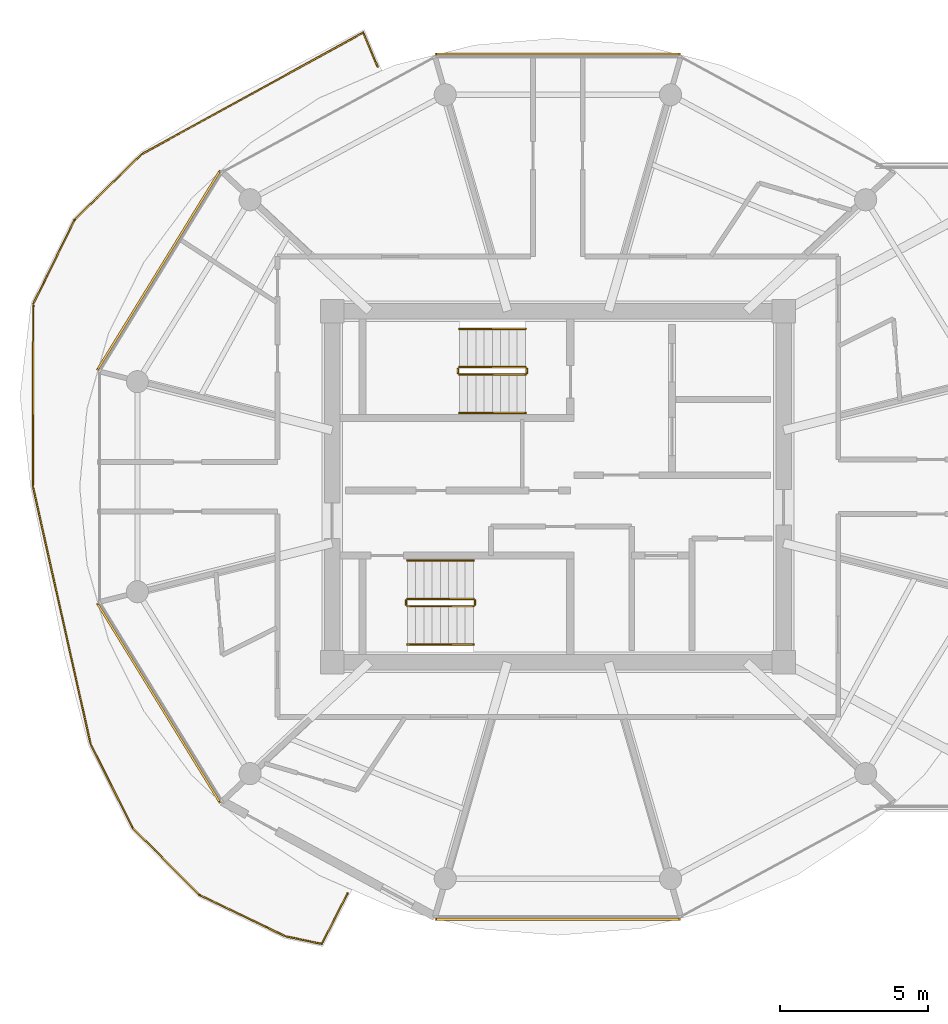
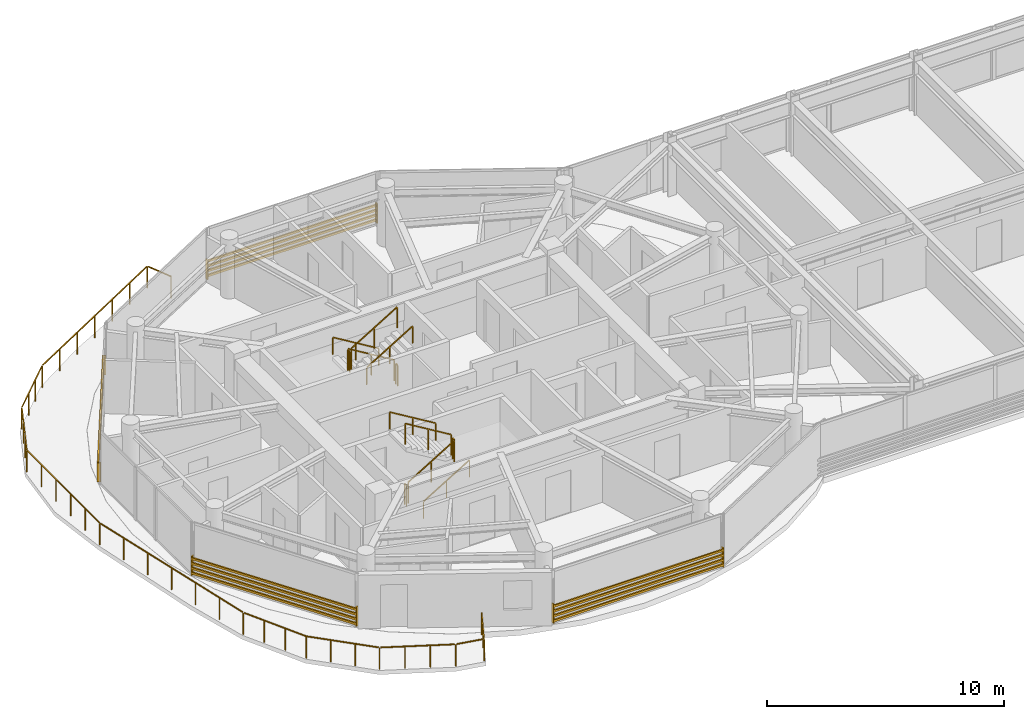
# One storey, part 21 of 24: 14 railings, 4 shading devices.
"""IFC4 building model written with IfcOpenShell, lengths in metres."""

from ifc_helpers import new_model, si_unit, direction, frame, origin, origin_2d, place, context, subcontext, project, spatial, rectangle, extrude, source, transform, mapped, material, type_object, type_shapes, element, save


model = new_model("IFC4")

# Units and contexts
model_context = context("Model", 3, precision=1e-05, world=origin(), true_north=direction((0.0, 1.0)))
body_context = subcontext(model_context, "Body", "Model", "MODEL_VIEW")
ifc_project = project(units=[si_unit("LENGTHUNIT", "METRE"), si_unit("AREAUNIT", "SQUARE_METRE"), si_unit("VOLUMEUNIT", "CUBIC_METRE"), si_unit("PLANEANGLEUNIT", "RADIAN"), si_unit("MASSUNIT", "GRAM", prefix="KILO")], contexts=[model_context])

# Site, building, storey
site_placement = place(None, origin())
site = spatial("IfcSite", under=ifc_project, at=site_placement, CompositionType="ELEMENT")
building_placement = place(site_placement, origin())
building = spatial("IfcBuilding", under=site, at=building_placement, Name="Norrkilde Senior Care Towers", CompositionType="ELEMENT")
storey_placement = place(building_placement, frame((0.0, 0.0, 213.89990234375)))
storey = spatial("IfcBuildingStorey", under=building, at=storey_placement, Name="L66", CompositionType="ELEMENT", Elevation=213.89990234375)

# Railings
ifc_material_1 = material(Name="Anodised Aluminium", Category="aluminium")
railing_type_1 = type_object("IfcRailingType", Name="Balcony Swirl Ribbon Guardrail 1150", PredefinedType="GUARDRAIL", material=ifc_material_1)
railing_1_placement = place(storey_placement, frame((-42.4072265625, -11.56787109375, 0.0)))
element("IfcRailing", 1, at=railing_1_placement, inside=storey, type_object=railing_type_1, Name="L66 Perimeter Safety Guard 03", PredefinedType="GUARDRAIL", context=body_context, shape_type="SweptSolid", body=[
    extrude(rectangle(XDim=0.048095703125, YDim=0.048095703125, at=origin_2d()), frame((0.0, 0.0, 1.1259765625), z_axis=(-0.448687873152, 0.893688532144, 0.0), x_axis=(-0.893688532144, -0.448687873152, 0.0)), (0.0, 0.0, 1.0), 3.137451171875),
    extrude(rectangle(XDim=0.048095703125, YDim=0.048095703125, at=origin_2d()), frame((-1.43505859375, 2.880126953125, 1.1259765625), z_axis=(-0.218500238834, 0.975836894993, 0.0), x_axis=(-0.975836894993, -0.218500238834, 0.0)), (0.0, 0.0, 1.0), 8.875),
    extrude(rectangle(XDim=0.048095703125, YDim=0.048095703125, at=origin_2d()), frame((-3.383056640625, 11.621337890625, 1.1259765625), z_axis=(0.00232952343, 0.999997286657, 0.0), x_axis=(-0.999997286657, 0.00232952343, 0.0)), (0.0, 0.0, 1.0), 6.1015625),
    extrude(rectangle(XDim=0.048095703125, YDim=0.048095703125, at=origin_2d()), frame((-3.3505859375, 17.800537109375, 1.1259765625), z_axis=(0.441809079075, 0.897109100192, 0.0), x_axis=(-0.897109100192, 0.441809079075, 0.0)), (0.0, 0.0, 1.0), 3.085205078125),
    extrude(rectangle(XDim=0.048095703125, YDim=0.048095703125, at=origin_2d()), frame((-1.940185546875, 20.633544921875, 1.1259765625), z_axis=(0.714013448605, 0.700131984137, 0.0), x_axis=(-0.700131984137, 0.714013448605, 0.0)), (0.0, 0.0, 1.0), 3.1015625),
    extrude(rectangle(XDim=0.048095703125, YDim=0.048095703125, at=origin_2d()), frame((0.33935546875, 22.853515625, 1.1259765625), z_axis=(0.876508269321, 0.481386802698, 0.0), x_axis=(-0.481386802698, 0.876508269321, 0.0)), (0.0, 0.0, 1.0), 8.482177734375),
    extrude(rectangle(XDim=0.048095703125, YDim=0.048095703125, at=origin_2d()), frame((7.82568359375, 26.918701171875, 1.1259765625), z_axis=(0.389716079969, -0.920935055807, 0.0), x_axis=(0.920935055807, 0.389716079969, 0.0)), (0.0, 0.0, 1.0), 1.215087890625),
    extrude(rectangle(XDim=0.0419921875, YDim=0.0419921875, at=origin_2d()), origin(), (0.0, 0.0, 1.0), 1.099853515625),
    extrude(rectangle(XDim=0.0419921875, YDim=0.0419921875, at=origin_2d()), frame((-0.475341796875, 0.94677734375, 0.0)), (0.0, 0.0, 1.0), 1.099853515625),
    extrude(rectangle(XDim=0.0419921875, YDim=0.0419921875, at=origin_2d()), frame((-0.95068359375, 1.8935546875, 0.0)), (0.0, 0.0, 1.0), 1.099853515625),
    extrude(rectangle(XDim=0.0419921875, YDim=0.0419921875, at=origin_2d()), frame((-1.426025390625, 2.84033203125, 0.0)), (0.0, 0.0, 1.0), 1.099853515625),
    extrude(rectangle(XDim=0.0419921875, YDim=0.0419921875, at=origin_2d()), frame((-1.752197265625, 4.297119140625, 0.0)), (0.0, 0.0, 1.0), 1.099853515625),
    extrude(rectangle(XDim=0.0419921875, YDim=0.0419921875, at=origin_2d()), frame((-2.078369140625, 5.753662109375, 0.0)), (0.0, 0.0, 1.0), 1.099853515625),
    extrude(rectangle(XDim=0.0419921875, YDim=0.0419921875, at=origin_2d()), frame((-2.404541015625, 7.21044921875, 0.0)), (0.0, 0.0, 1.0), 1.099853515625),
    extrude(rectangle(XDim=0.0419921875, YDim=0.0419921875, at=origin_2d()), frame((-2.730712890625, 8.667236328125, 0.0)), (0.0, 0.0, 1.0), 1.099853515625),
    extrude(rectangle(XDim=0.0419921875, YDim=0.0419921875, at=origin_2d()), frame((-3.056884765625, 10.123779296875, 0.0)), (0.0, 0.0, 1.0), 1.099853515625),
    extrude(rectangle(XDim=0.0419921875, YDim=0.0419921875, at=origin_2d()), frame((-3.383056640625, 11.58056640625, 0.0)), (0.0, 0.0, 1.0), 1.099853515625),
    extrude(rectangle(XDim=0.0419921875, YDim=0.0419921875, at=origin_2d()), frame((-3.380126953125, 12.817138671875, 0.0)), (0.0, 0.0, 1.0), 1.099853515625),
    extrude(rectangle(XDim=0.0419921875, YDim=0.0419921875, at=origin_2d()), frame((-3.377197265625, 14.053955078125, 0.0)), (0.0, 0.0, 1.0), 1.099853515625),
    extrude(rectangle(XDim=0.0419921875, YDim=0.0419921875, at=origin_2d()), frame((-3.37451171875, 15.29052734375, 0.0)), (0.0, 0.0, 1.0), 1.099853515625),
    extrude(rectangle(XDim=0.0419921875, YDim=0.0419921875, at=origin_2d()), frame((-3.37158203125, 16.52734375, 0.0)), (0.0, 0.0, 1.0), 1.099853515625),
    extrude(rectangle(XDim=0.0419921875, YDim=0.0419921875, at=origin_2d()), frame((-3.36865234375, 17.763916015625, 0.0)), (0.0, 0.0, 1.0), 1.099853515625),
    extrude(rectangle(XDim=0.0419921875, YDim=0.0419921875, at=origin_2d()), frame((-2.90234375, 18.7109375, 0.0)), (0.0, 0.0, 1.0), 1.099853515625),
    extrude(rectangle(XDim=0.0419921875, YDim=0.0419921875, at=origin_2d()), frame((-2.435791015625, 19.657958984375, 0.0)), (0.0, 0.0, 1.0), 1.099853515625),
    extrude(rectangle(XDim=0.0419921875, YDim=0.0419921875, at=origin_2d()), frame((-1.969482421875, 20.60498046875, 0.0)), (0.0, 0.0, 1.0), 1.099853515625),
    extrude(rectangle(XDim=0.0419921875, YDim=0.0419921875, at=origin_2d()), frame((-1.2119140625, 21.347900390625, 0.0)), (0.0, 0.0, 1.0), 1.099853515625),
    extrude(rectangle(XDim=0.0419921875, YDim=0.0419921875, at=origin_2d()), frame((-0.4541015625, 22.0908203125, 0.0)), (0.0, 0.0, 1.0), 1.099853515625),
    extrude(rectangle(XDim=0.0419921875, YDim=0.0419921875, at=origin_2d()), frame((0.303466796875, 22.833740234375, 0.0)), (0.0, 0.0, 1.0), 1.099853515625),
    extrude(rectangle(XDim=0.0419921875, YDim=0.0419921875, at=origin_2d()), frame((1.554443359375, 23.520751953125, 0.0)), (0.0, 0.0, 1.0), 1.099853515625),
    extrude(rectangle(XDim=0.0419921875, YDim=0.0419921875, at=origin_2d()), frame((2.8056640625, 24.2080078125, 0.0)), (0.0, 0.0, 1.0), 1.099853515625),
    extrude(rectangle(XDim=0.0419921875, YDim=0.0419921875, at=origin_2d()), frame((4.056640625, 24.89501953125, 0.0)), (0.0, 0.0, 1.0), 1.099853515625),
    extrude(rectangle(XDim=0.0419921875, YDim=0.0419921875, at=origin_2d()), frame((5.3076171875, 25.58203125, 0.0)), (0.0, 0.0, 1.0), 1.099853515625),
    extrude(rectangle(XDim=0.0419921875, YDim=0.0419921875, at=origin_2d()), frame((6.558837890625, 26.269287109375, 0.0)), (0.0, 0.0, 1.0), 1.099853515625),
    extrude(rectangle(XDim=0.0419921875, YDim=0.0419921875, at=origin_2d()), frame((7.809814453125, 26.956298828125, 0.0)), (0.0, 0.0, 1.0), 1.099853515625),
    extrude(rectangle(XDim=0.0419921875, YDim=0.0419921875, at=origin_2d()), frame((8.29931640625, 25.799560546875, 0.0)), (0.0, 0.0, 1.0), 1.099853515625),
])
railing_2_placement = place(storey_placement, frame((-35.130126953125, -13.784423828125, 0.0)))
element("IfcRailing", 2, at=railing_2_placement, inside=storey, type_object=railing_type_1, Name="L66 Perimeter Safety Guard 04", PredefinedType="GUARDRAIL", context=body_context, shape_type="SweptSolid", body=[
    extrude(rectangle(XDim=0.048095703125, YDim=0.048095703125, at=origin_2d()), frame((0.0, 0.0, 1.1259765625), z_axis=(-0.4548823718, -0.890551530135, 0.0), x_axis=(0.890551530135, -0.4548823718, 0.0)), (0.0, 0.0, 1.0), 1.8779296875),
    extrude(rectangle(XDim=0.048095703125, YDim=0.048095703125, at=origin_2d()), frame((-0.912841796875, -1.7001953125, 1.1259765625), z_axis=(-0.978455155372, 0.206459460734, 0.0), x_axis=(-0.206459460734, -0.978455155372, 0.0)), (0.0, 0.0, 1.0), 1.1787109375),
    extrude(rectangle(XDim=0.048095703125, YDim=0.048095703125, at=origin_2d()), frame((-2.14306640625, -1.4306640625, 1.1259765625), z_axis=(-0.900842704512, 0.434145622721, 0.0), x_axis=(-0.434145622721, -0.900842704512, 0.0)), (0.0, 0.0, 1.0), 3.143310546875),
    extrude(rectangle(XDim=0.048095703125, YDim=0.048095703125, at=origin_2d()), frame((-5.040283203125, -0.01953125, 1.1259765625), z_axis=(-0.707221085699, 0.706992458193, 0.0), x_axis=(-0.706992458193, -0.707221085699, 0.0)), (0.0, 0.0, 1.0), 3.16259765625),
    extrude(rectangle(XDim=0.0419921875, YDim=0.0419921875, at=origin_2d()), origin(), (0.0, 0.0, 1.0), 1.099853515625),
    extrude(rectangle(XDim=0.0419921875, YDim=0.0419921875, at=origin_2d()), frame((-0.4365234375, -0.8544921875, 0.0)), (0.0, 0.0, 1.0), 1.099853515625),
    extrude(rectangle(XDim=0.0419921875, YDim=0.0419921875, at=origin_2d()), frame((-0.872802734375, -1.708740234375, 0.0)), (0.0, 0.0, 1.0), 1.099853515625),
    extrude(rectangle(XDim=0.0419921875, YDim=0.0419921875, at=origin_2d()), frame((-2.106201171875, -1.448486328125, 0.0)), (0.0, 0.0, 1.0), 1.099853515625),
    extrude(rectangle(XDim=0.0419921875, YDim=0.0419921875, at=origin_2d()), frame((-3.07470703125, -0.981689453125, 0.0)), (0.0, 0.0, 1.0), 1.099853515625),
    extrude(rectangle(XDim=0.0419921875, YDim=0.0419921875, at=origin_2d()), frame((-4.04296875, -0.51513671875, 0.0)), (0.0, 0.0, 1.0), 1.099853515625),
    extrude(rectangle(XDim=0.0419921875, YDim=0.0419921875, at=origin_2d()), frame((-5.011474609375, -0.04833984375, 0.0)), (0.0, 0.0, 1.0), 1.099853515625),
    extrude(rectangle(XDim=0.0419921875, YDim=0.0419921875, at=origin_2d()), frame((-5.7666015625, 0.70654296875, 0.0)), (0.0, 0.0, 1.0), 1.099853515625),
    extrude(rectangle(XDim=0.0419921875, YDim=0.0419921875, at=origin_2d()), frame((-6.52197265625, 1.461669921875, 0.0)), (0.0, 0.0, 1.0), 1.099853515625),
    extrude(rectangle(XDim=0.0419921875, YDim=0.0419921875, at=origin_2d()), frame((-7.277099609375, 2.216552734375, 0.0)), (0.0, 0.0, 1.0), 1.099853515625),
])
ifc_material_2 = material(Name="Stainless Steel", Category="steel")
railing_type_2 = type_object("IfcRailingType", Name="Stair and Terrace Guardrail 1100", PredefinedType="GUARDRAIL", material=ifc_material_2)
railing_3_placement = place(storey_placement, frame((-29.10009765625, 4.050048828125, 0.16943359375)))
element("IfcRailing", 3, at=railing_3_placement, inside=storey, type_object=railing_type_2, Name="L66 ST-W1 stair guard 1", PredefinedType="GUARDRAIL", context=body_context, shape_type="SweptSolid", body=[
    extrude(rectangle(XDim=0.048095703125, YDim=0.048095703125, at=origin_2d()), frame((0.0, 0.0, 1.076171875), z_axis=(-0.855512035549, 0.0, 0.517782924622), x_axis=(0.0, -1.0, 0.0)), (0.0, 0.0, 1.0), 2.618408203125),
    extrude(rectangle(XDim=0.0419921875, YDim=0.0419921875, at=origin_2d()), origin(), (0.0, 0.0, 1.0), 1.050048828125),
    extrude(rectangle(XDim=0.0419921875, YDim=0.0419921875, at=origin_2d()), frame((-1.1201171875, 0.0, 0.677734375)), (0.0, 0.0, 1.0), 1.050048828125),
    extrude(rectangle(XDim=0.0419921875, YDim=0.0419921875, at=origin_2d()), frame((-2.239990234375, 0.0, 1.355712890625)), (0.0, 0.0, 1.0), 1.050048828125),
])
railing_4_placement = place(storey_placement, frame((-31.389892578125, 4.0, 1.525146484375)))
element("IfcRailing", 4, at=railing_4_placement, inside=storey, type_object=railing_type_2, Name="L66 ST-W1 stair guard 2", PredefinedType="GUARDRAIL", context=body_context, shape_type="SweptSolid", body=[
    extrude(rectangle(XDim=0.048095703125, YDim=0.048095703125, at=origin_2d()), frame((0.0, 0.0, 1.076171875), z_axis=(0.0, -1.0, 0.0), x_axis=(1.0, 0.0, 0.0)), (0.0, 0.0, 1.0), 0.14990234375),
    extrude(rectangle(XDim=0.0419921875, YDim=0.0419921875, at=origin_2d()), origin(), (0.0, 0.0, 1.0), 1.050048828125),
    extrude(rectangle(XDim=0.0419921875, YDim=0.0419921875, at=origin_2d()), frame((0.0, -0.14990234375, 0.0)), (0.0, 0.0, 1.0), 1.050048828125),
])
railing_5_placement = place(storey_placement, frame((-31.340087890625, 3.800048828125, 1.694580078125)))
element("IfcRailing", 5, at=railing_5_placement, inside=storey, type_object=railing_type_2, Name="L66 ST-W1 stair guard 3", PredefinedType="GUARDRAIL", context=body_context, shape_type="SweptSolid", body=[
    extrude(rectangle(XDim=0.048095703125, YDim=0.048095703125, at=origin_2d()), frame((0.0, 0.0, 1.076171875), z_axis=(0.855553338991, 0.0, 0.51771467445), x_axis=(0.0, 1.0, 0.0)), (0.0, 0.0, 1.0), 2.6181640625),
    extrude(rectangle(XDim=0.0419921875, YDim=0.0419921875, at=origin_2d()), origin(), (0.0, 0.0, 1.0), 1.050048828125),
    extrude(rectangle(XDim=0.0419921875, YDim=0.0419921875, at=origin_2d()), frame((1.1201171875, 0.0, 0.677734375)), (0.0, 0.0, 1.0), 1.050048828125),
    extrude(rectangle(XDim=0.0419921875, YDim=0.0419921875, at=origin_2d()), frame((2.239990234375, 0.0, 1.35546875)), (0.0, 0.0, 1.0), 1.050048828125),
])
railing_6_placement = place(storey_placement, frame((-29.050048828125, 4.0, 0.0)))
element("IfcRailing", 6, at=railing_6_placement, inside=storey, type_object=railing_type_2, Name="L66 ST-W1 stair guard 4", PredefinedType="GUARDRAIL", context=body_context, shape_type="SweptSolid", body=[
    extrude(rectangle(XDim=0.048095703125, YDim=0.048095703125, at=origin_2d()), frame((0.0, 0.0, 1.076171875), z_axis=(0.0, -1.0, 0.0), x_axis=(1.0, 0.0, 0.0)), (0.0, 0.0, 1.0), 0.14990234375),
    extrude(rectangle(XDim=0.0419921875, YDim=0.0419921875, at=origin_2d()), origin(), (0.0, 0.0, 1.0), 1.050048828125),
    extrude(rectangle(XDim=0.0419921875, YDim=0.0419921875, at=origin_2d()), frame((0.0, -0.14990234375, 0.0)), (0.0, 0.0, 1.0), 1.050048828125),
])
railing_7_placement = place(storey_placement, frame((-33.10009765625, -4.050048828125, 0.16943359375)))
element("IfcRailing", 7, at=railing_7_placement, inside=storey, type_object=railing_type_2, Name="L66 ST-W2 stair guard 1", PredefinedType="GUARDRAIL", context=body_context, shape_type="SweptSolid", body=[
    extrude(rectangle(XDim=0.048095703125, YDim=0.048095703125, at=origin_2d()), frame((0.0, 0.0, 1.076171875), z_axis=(0.855512035549, 0.0, 0.517782924622), x_axis=(0.0, 1.0, 0.0)), (0.0, 0.0, 1.0), 2.618408203125),
    extrude(rectangle(XDim=0.0419921875, YDim=0.0419921875, at=origin_2d()), origin(), (0.0, 0.0, 1.0), 1.050048828125),
    extrude(rectangle(XDim=0.0419921875, YDim=0.0419921875, at=origin_2d()), frame((1.1201171875, 0.0, 0.677734375)), (0.0, 0.0, 1.0), 1.050048828125),
    extrude(rectangle(XDim=0.0419921875, YDim=0.0419921875, at=origin_2d()), frame((2.239990234375, 0.0, 1.355712890625)), (0.0, 0.0, 1.0), 1.050048828125),
])
railing_8_placement = place(storey_placement, frame((-30.81005859375, -4.0, 1.525146484375)))
element("IfcRailing", 8, at=railing_8_placement, inside=storey, type_object=railing_type_2, Name="L66 ST-W2 stair guard 2", PredefinedType="GUARDRAIL", context=body_context, shape_type="SweptSolid", body=[
    extrude(rectangle(XDim=0.048095703125, YDim=0.048095703125, at=origin_2d()), frame((0.0, 0.0, 1.076171875), z_axis=(0.0, 1.0, 0.0), x_axis=(-1.0, 0.0, 0.0)), (0.0, 0.0, 1.0), 0.14990234375),
    extrude(rectangle(XDim=0.0419921875, YDim=0.0419921875, at=origin_2d()), origin(), (0.0, 0.0, 1.0), 1.050048828125),
    extrude(rectangle(XDim=0.0419921875, YDim=0.0419921875, at=origin_2d()), frame((0.0, 0.14990234375, 0.0)), (0.0, 0.0, 1.0), 1.050048828125),
])
railing_9_placement = place(storey_placement, frame((-30.860107421875, -3.800048828125, 1.694580078125)))
element("IfcRailing", 9, at=railing_9_placement, inside=storey, type_object=railing_type_2, Name="L66 ST-W2 stair guard 3", PredefinedType="GUARDRAIL", context=body_context, shape_type="SweptSolid", body=[
    extrude(rectangle(XDim=0.048095703125, YDim=0.048095703125, at=origin_2d()), frame((0.0, 0.0, 1.076171875), z_axis=(-0.855553338991, 0.0, 0.51771467445), x_axis=(0.0, -1.0, 0.0)), (0.0, 0.0, 1.0), 2.6181640625),
    extrude(rectangle(XDim=0.0419921875, YDim=0.0419921875, at=origin_2d()), origin(), (0.0, 0.0, 1.0), 1.050048828125),
    extrude(rectangle(XDim=0.0419921875, YDim=0.0419921875, at=origin_2d()), frame((-1.1201171875, 0.0, 0.677734375)), (0.0, 0.0, 1.0), 1.050048828125),
    extrude(rectangle(XDim=0.0419921875, YDim=0.0419921875, at=origin_2d()), frame((-2.239990234375, 0.0, 1.35546875)), (0.0, 0.0, 1.0), 1.050048828125),
])
railing_10_placement = place(storey_placement, frame((-33.14990234375, -4.0, 0.0)))
element("IfcRailing", 10, at=railing_10_placement, inside=storey, type_object=railing_type_2, Name="L66 ST-W2 stair guard 4", PredefinedType="GUARDRAIL", context=body_context, shape_type="SweptSolid", body=[
    extrude(rectangle(XDim=0.048095703125, YDim=0.048095703125, at=origin_2d()), frame((0.0, 0.0, 1.076171875), z_axis=(0.0, 1.0, 0.0), x_axis=(-1.0, 0.0, 0.0)), (0.0, 0.0, 1.0), 0.14990234375),
    extrude(rectangle(XDim=0.0419921875, YDim=0.0419921875, at=origin_2d()), origin(), (0.0, 0.0, 1.0), 1.050048828125),
    extrude(rectangle(XDim=0.0419921875, YDim=0.0419921875, at=origin_2d()), frame((0.0, 0.14990234375, 0.0)), (0.0, 0.0, 1.0), 1.050048828125),
])
ifc_material_3 = material(Name="Nordic Ash Timber", Category="wood")
railing_type_3 = type_object("IfcRailingType", Name="Wall and Stair Handrail 900", PredefinedType="HANDRAIL", material=ifc_material_3)
railing_11_placement = place(storey_placement, frame((-29.10009765625, 5.35009765625, 0.16943359375)))
element("IfcRailing", 11, at=railing_11_placement, inside=storey, type_object=railing_type_3, Name="L66 ST-W1 stair handrail 1", PredefinedType="HANDRAIL", context=body_context, shape_type="SweptSolid", body=[
    extrude(rectangle(XDim=0.048095703125, YDim=0.048095703125, at=origin_2d()), frame((0.0, 0.0, 0.8759765625), z_axis=(-0.855512035549, 0.0, 0.517782924622), x_axis=(0.0, -1.0, 0.0)), (0.0, 0.0, 1.0), 2.618408203125),
    extrude(rectangle(XDim=0.0419921875, YDim=0.0419921875, at=origin_2d()), origin(), (0.0, 0.0, 1.0), 0.849853515625),
    extrude(rectangle(XDim=0.0419921875, YDim=0.0419921875, at=origin_2d()), frame((-1.1201171875, 0.0, 0.677734375)), (0.0, 0.0, 1.0), 0.849853515625),
    extrude(rectangle(XDim=0.0419921875, YDim=0.0419921875, at=origin_2d()), frame((-2.239990234375, 0.0, 1.355712890625)), (0.0, 0.0, 1.0), 0.849853515625),
])
railing_12_placement = place(storey_placement, frame((-31.340087890625, 2.5, 1.694580078125)))
element("IfcRailing", 12, at=railing_12_placement, inside=storey, type_object=railing_type_3, Name="L66 ST-W1 stair handrail 2", PredefinedType="HANDRAIL", context=body_context, shape_type="SweptSolid", body=[
    extrude(rectangle(XDim=0.048095703125, YDim=0.048095703125, at=origin_2d()), frame((0.0, 0.0, 0.8759765625), z_axis=(0.855553338991, 0.0, 0.51771467445), x_axis=(0.0, 1.0, 0.0)), (0.0, 0.0, 1.0), 2.6181640625),
    extrude(rectangle(XDim=0.0419921875, YDim=0.0419921875, at=origin_2d()), origin(), (0.0, 0.0, 1.0), 0.849853515625),
    extrude(rectangle(XDim=0.0419921875, YDim=0.0419921875, at=origin_2d()), frame((1.1201171875, 0.0, 0.677734375)), (0.0, 0.0, 1.0), 0.849853515625),
    extrude(rectangle(XDim=0.0419921875, YDim=0.0419921875, at=origin_2d()), frame((2.239990234375, 0.0, 1.35546875)), (0.0, 0.0, 1.0), 0.849853515625),
])
railing_13_placement = place(storey_placement, frame((-33.10009765625, -5.35009765625, 0.16943359375)))
element("IfcRailing", 13, at=railing_13_placement, inside=storey, type_object=railing_type_3, Name="L66 ST-W2 stair handrail 1", PredefinedType="HANDRAIL", context=body_context, shape_type="SweptSolid", body=[
    extrude(rectangle(XDim=0.048095703125, YDim=0.048095703125, at=origin_2d()), frame((0.0, 0.0, 0.8759765625), z_axis=(0.855512035549, 0.0, 0.517782924622), x_axis=(0.0, 1.0, 0.0)), (0.0, 0.0, 1.0), 2.618408203125),
    extrude(rectangle(XDim=0.0419921875, YDim=0.0419921875, at=origin_2d()), origin(), (0.0, 0.0, 1.0), 0.849853515625),
    extrude(rectangle(XDim=0.0419921875, YDim=0.0419921875, at=origin_2d()), frame((1.1201171875, 0.0, 0.677734375)), (0.0, 0.0, 1.0), 0.849853515625),
    extrude(rectangle(XDim=0.0419921875, YDim=0.0419921875, at=origin_2d()), frame((2.239990234375, 0.0, 1.355712890625)), (0.0, 0.0, 1.0), 0.849853515625),
])
railing_14_placement = place(storey_placement, frame((-30.860107421875, -2.5, 1.694580078125)))
element("IfcRailing", 14, at=railing_14_placement, inside=storey, type_object=railing_type_3, Name="L66 ST-W2 stair handrail 2", PredefinedType="HANDRAIL", context=body_context, shape_type="SweptSolid", body=[
    extrude(rectangle(XDim=0.048095703125, YDim=0.048095703125, at=origin_2d()), frame((0.0, 0.0, 0.8759765625), z_axis=(-0.855553338991, 0.0, 0.51771467445), x_axis=(0.0, -1.0, 0.0)), (0.0, 0.0, 1.0), 2.6181640625),
    extrude(rectangle(XDim=0.0419921875, YDim=0.0419921875, at=origin_2d()), origin(), (0.0, 0.0, 1.0), 0.849853515625),
    extrude(rectangle(XDim=0.0419921875, YDim=0.0419921875, at=origin_2d()), frame((-1.1201171875, 0.0, 0.677734375)), (0.0, 0.0, 1.0), 0.849853515625),
    extrude(rectangle(XDim=0.0419921875, YDim=0.0419921875, at=origin_2d()), frame((-2.239990234375, 0.0, 1.35546875)), (0.0, 0.0, 1.0), 0.849853515625),
])

# Shading devices
ifc_material_4 = material(Name="Architectural Terracotta", Category="masonry")
shading_device_type = type_object("IfcShadingDeviceType", Name="Horizontal Terracotta Baguette Rack", PredefinedType="USERDEFINED", material=ifc_material_4)
shared_shape_1 = source(origin(), body_context, "Body", "SweptSolid", [
    extrude(rectangle(XDim=0.070068359375, YDim=0.110107421875, at=origin_2d()), frame((0.0, 0.090087890625, 0.125), z_axis=(1.0, 0.0, 0.0), x_axis=(0.0, 1.0, 0.0)), (0.0, 0.0, 1.0), 7.938232421875),
    extrude(rectangle(XDim=0.070068359375, YDim=0.110107421875, at=origin_2d()), frame((0.0, 0.090087890625, 0.375), z_axis=(1.0, 0.0, 0.0), x_axis=(0.0, 1.0, 0.0)), (0.0, 0.0, 1.0), 7.938232421875),
    extrude(rectangle(XDim=0.070068359375, YDim=0.110107421875, at=origin_2d()), frame((0.0, 0.090087890625, 0.625), z_axis=(1.0, 0.0, 0.0), x_axis=(0.0, 1.0, 0.0)), (0.0, 0.0, 1.0), 7.938232421875),
    extrude(rectangle(XDim=0.070068359375, YDim=0.110107421875, at=origin_2d()), frame((0.0, 0.090087890625, 0.875), z_axis=(1.0, 0.0, 0.0), x_axis=(0.0, 1.0, 0.0)), (0.0, 0.0, 1.0), 7.938232421875),
    extrude(rectangle(XDim=0.050048828125, YDim=0.1552734375, at=origin_2d()), frame((0.02490234375, 0.047607421875, 0.0)), (0.0, 0.0, 1.0), 1.0),
    extrude(rectangle(XDim=0.050048828125, YDim=0.1552734375, at=origin_2d()), frame((7.9130859375, 0.047607421875, 0.0)), (0.0, 0.0, 1.0), 1.0),
])
for number, where, z_axis, x_axis, name in (
    (15, (-43.531982421875, 3.903076171875, 0.080078125), (0.0, 0.0, 1.0), (0.524250345994, 0.851576195602, 0.0), "L66 Drum W Terracotta Baguette Screen 04"),
    (16, (-39.370361328125, -10.6630859375, 0.080078125), (0.0, 0.0, 1.0), (-0.524250345994, 0.851576195602, 0.0), "L66 Drum W Terracotta Baguette Screen 06"),
):
    element("IfcShadingDevice", number, at=place(storey_placement, frame(where, z_axis=z_axis, x_axis=x_axis)), inside=storey, type_object=shading_device_type, Name=name, ObjectType="BAGUETTE", PredefinedType="USERDEFINED", context=body_context, shape_type="MappedRepresentation", body=[
        mapped(shared_shape_1, transform((0.0, 0.0, 0.0), x_axis=(1.0, 0.0, 0.0), y_axis=(0.0, 1.0, 0.0), z_axis=(0.0, 0.0, 1.0), scale=1.0)),
    ])
shared_shape_2 = source(origin(), body_context, "Body", "SweptSolid", [
    extrude(rectangle(XDim=0.070068359375, YDim=0.110107421875, at=origin_2d()), frame((0.0, 0.090087890625, 0.125), z_axis=(1.0, 0.0, 0.0), x_axis=(0.0, 1.0, 0.0)), (0.0, 0.0, 1.0), 8.32373046875),
    extrude(rectangle(XDim=0.070068359375, YDim=0.110107421875, at=origin_2d()), frame((0.0, 0.090087890625, 0.375), z_axis=(1.0, 0.0, 0.0), x_axis=(0.0, 1.0, 0.0)), (0.0, 0.0, 1.0), 8.32373046875),
    extrude(rectangle(XDim=0.070068359375, YDim=0.110107421875, at=origin_2d()), frame((0.0, 0.090087890625, 0.625), z_axis=(1.0, 0.0, 0.0), x_axis=(0.0, 1.0, 0.0)), (0.0, 0.0, 1.0), 8.32373046875),
    extrude(rectangle(XDim=0.070068359375, YDim=0.110107421875, at=origin_2d()), frame((0.0, 0.090087890625, 0.875), z_axis=(1.0, 0.0, 0.0), x_axis=(0.0, 1.0, 0.0)), (0.0, 0.0, 1.0), 8.32373046875),
    extrude(rectangle(XDim=0.050048828125, YDim=0.1552734375, at=origin_2d()), frame((0.02490234375, 0.047607421875, 0.0)), (0.0, 0.0, 1.0), 1.0),
    extrude(rectangle(XDim=0.050048828125, YDim=0.1552734375, at=origin_2d()), frame((8.298828125, 0.047607421875, 0.0)), (0.0, 0.0, 1.0), 1.0),
])
type_shapes(shading_device_type, [shared_shape_1, shared_shape_2])
for number, where, z_axis, x_axis, name in (
    (17, (-32.161865234375, 14.566162109375, 0.080078125), (0.0, 0.0, 1.0), (1.0, 0.0, 0.0), "L66 Drum W Terracotta Baguette Screen 02"),
    (18, (-23.838134765625, -14.566162109375, 0.080078125), (0.0, 0.0, 1.0), (-1.0, 0.0, 0.0), "L66 Drum W Terracotta Baguette Screen 08"),
):
    element("IfcShadingDevice", number, at=place(storey_placement, frame(where, z_axis=z_axis, x_axis=x_axis)), inside=storey, type_object=shading_device_type, Name=name, ObjectType="BAGUETTE", PredefinedType="USERDEFINED", context=body_context, shape_type="MappedRepresentation", body=[
        mapped(shared_shape_2, transform((0.0, 0.0, 0.0), x_axis=(1.0, 0.0, 0.0), y_axis=(0.0, 1.0, 0.0), z_axis=(0.0, 0.0, 1.0), scale=1.0)),
    ])

save(model, "model.ifc")
